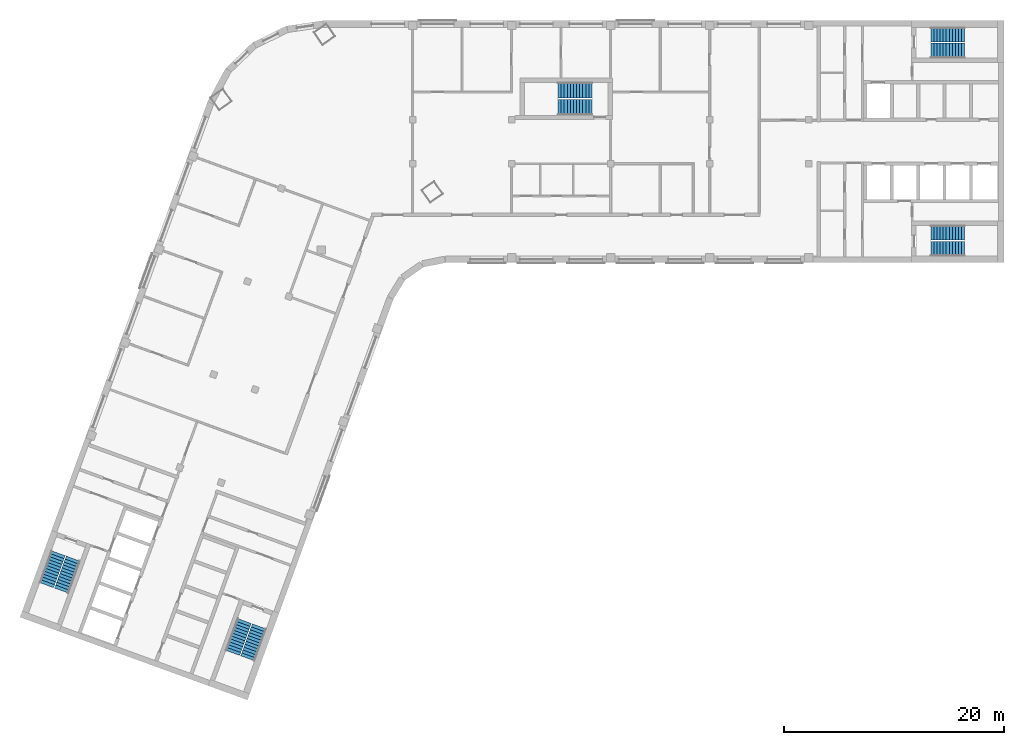
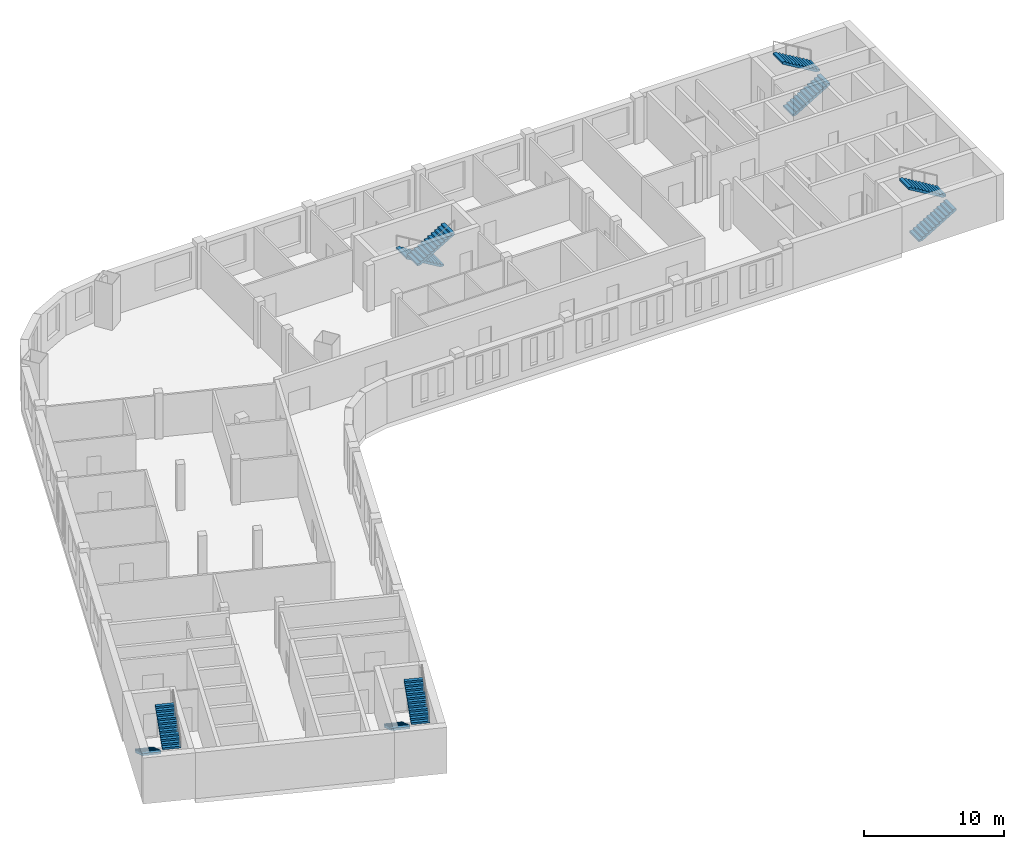
# One storey, part 7 of 8: 10 stair flights, 5 elements without a shape of their own.
"""IFC4 building model written with IfcOpenShell, lengths in metres."""

from ifc_helpers import new_model, si_unit, direction, frame, origin, place, context, subcontext, project, spatial, polyline, outline, extrude, material, type_object, element, aggregate, save


model = new_model("IFC4")

# Units and contexts
model_context = context("Model", 3, precision=1e-05, world=origin(), true_north=direction((0.0, 1.0)))
body_context = subcontext(model_context, "Body", "Model", "MODEL_VIEW")
ifc_project = project(units=[si_unit("LENGTHUNIT", "METRE"), si_unit("AREAUNIT", "SQUARE_METRE"), si_unit("VOLUMEUNIT", "CUBIC_METRE"), si_unit("PLANEANGLEUNIT", "RADIAN"), si_unit("MASSUNIT", "GRAM", prefix="KILO")], contexts=[model_context])

# Site, building, storey
site_placement = place(None, origin())
site = spatial("IfcSite", under=ifc_project, at=site_placement, CompositionType="ELEMENT")
building_placement = place(site_placement, origin())
building = spatial("IfcBuilding", under=site, at=building_placement, Name="Skarvind Civic Tower", CompositionType="ELEMENT")
storey_placement = place(building_placement, frame((0.0, 0.0, 224.0)))
storey = spatial("IfcBuildingStorey", under=building, at=storey_placement, Name="L53", CompositionType="ELEMENT", Elevation=224.0)

# Stair, stair flights
ifc_material = material(Name="Concrete C40/50", Category="concrete")
stair_type_1 = type_object("IfcStairType", Name="Exit stair 1450, half-turn, concrete", PredefinedType="HALF_TURN_STAIR", material=ifc_material)
stair_1_placement = place(storey_placement, origin())
stair_1 = element("IfcStair", 1, at=stair_1_placement, inside=storey, type_object=stair_type_1, Name="Exit stair CM", PredefinedType="HALF_TURN_STAIR")
stair_flight_type_1 = type_object("IfcStairFlightType", Name="Stair flight 1450, concrete", PredefinedType="STRAIGHT", material=ifc_material)
stair_flight_1_placement = place(storey_placement, frame((70.550048828125, 132.675048828125, 0.0), z_axis=(0.0, 0.0, 1.0), x_axis=(-1.0, 0.0, 0.0)))
stair_flight_1 = element("IfcStairFlight", 2, at=stair_flight_1_placement, type_object=stair_flight_type_1, Name="ST-CM flight 1", NumberOfRisers=12, NumberOfTreads=11, PredefinedType="STRAIGHT", RiserHeight=0.166666667, TreadLength=0.28, context=body_context, shape_type="SweptSolid", body=[
    extrude(outline(polyline([(0.0, 0.0), (0.0, 0.166748046875), (0.280029296875, 0.166748046875), (0.280029296875, 0.333251953125), (0.56005859375, 0.333251953125), (0.56005859375, 0.5), (0.840087890625, 0.5), (0.840087890625, 0.666748046875), (1.1201171875, 0.666748046875), (1.1201171875, 0.833251953125), (1.39990234375, 0.833251953125), (1.39990234375, 1.0), (1.679931640625, 1.0), (1.679931640625, 1.166748046875), (1.9599609375, 1.166748046875), (1.9599609375, 1.333251953125), (2.239990234375, 1.333251953125), (2.239990234375, 1.5), (2.52001953125, 1.5), (2.52001953125, 1.666748046875), (2.800048828125, 1.666748046875), (2.800048828125, 1.833251953125), (3.080078125, 1.833251953125), (3.080078125, 2.0), (3.080078125, 1.658935546875), (0.29296875, 0.0), (0.0, 0.0)])), frame((0.0, 0.72509765625, 0.0), z_axis=(0.0, -1.0, 0.0), x_axis=(1.0, 0.0, 0.0)), (0.0, 0.0, 1.0), 1.449951171875),
])
stair_flight_2_placement = place(storey_placement, frame((67.469970703125, 131.125, 2.0), z_axis=(0.0, 0.0, 1.0), x_axis=(1.0, 0.0, 0.0)))
stair_flight_2 = element("IfcStairFlight", 3, at=stair_flight_2_placement, type_object=stair_flight_type_1, Name="ST-CM flight 2", NumberOfRisers=12, NumberOfTreads=11, PredefinedType="STRAIGHT", RiserHeight=0.166666667, TreadLength=0.28, context=body_context, shape_type="SweptSolid", body=[
    extrude(outline(polyline([(0.0, 0.0), (0.0, 0.166748046875), (0.280029296875, 0.166748046875), (0.280029296875, 0.333251953125), (0.56005859375, 0.333251953125), (0.56005859375, 0.5), (0.840087890625, 0.5), (0.840087890625, 0.666748046875), (1.1201171875, 0.666748046875), (1.1201171875, 0.833251953125), (1.39990234375, 0.833251953125), (1.39990234375, 1.0), (1.679931640625, 1.0), (1.679931640625, 1.166748046875), (1.9599609375, 1.166748046875), (1.9599609375, 1.333251953125), (2.239990234375, 1.333251953125), (2.239990234375, 1.5), (2.52001953125, 1.5), (2.52001953125, 1.666748046875), (2.800048828125, 1.666748046875), (2.800048828125, 1.833251953125), (3.080078125, 1.833251953125), (3.080078125, 2.0), (3.080078125, 1.658935546875), (0.29296875, 0.0), (0.0, 0.0)])), frame((0.0, 0.72509765625, 0.0), z_axis=(0.0, -1.0, 0.0), x_axis=(1.0, 0.0, 0.0)), (0.0, 0.0, 1.0), 1.449951171875),
])
aggregate(stair_1, [stair_flight_1, stair_flight_2])

stair_type_2 = type_object("IfcStairType", Name="Exit stair, half-turn, concrete", PredefinedType="HALF_TURN_STAIR", material=ifc_material)
stair_2_placement = place(storey_placement, origin())
stair_2 = element("IfcStair", 4, at=stair_2_placement, inside=storey, type_object=stair_type_2, Name="Exit stair C1S", PredefinedType="HALF_TURN_STAIR")
stair_flight_type_2 = type_object("IfcStairFlightType", Name="Stair flight, concrete", PredefinedType="STRAIGHT", material=ifc_material)
stair_flight_3_placement = place(storey_placement, frame((101.35009765625, 136.27490234375, 0.0), z_axis=(0.0, 0.0, 1.0), x_axis=(1.0, 0.0, 0.0)))
stair_flight_3 = element("IfcStairFlight", 5, at=stair_flight_3_placement, type_object=stair_flight_type_2, Name="ST-C1S flight 1", NumberOfRisers=12, NumberOfTreads=11, PredefinedType="STRAIGHT", RiserHeight=0.166666667, TreadLength=0.28, context=body_context, shape_type="SweptSolid", body=[
    extrude(outline(polyline([(0.0, 0.0), (0.0, 0.166748046875), (0.280029296875, 0.166748046875), (0.280029296875, 0.333251953125), (0.56005859375, 0.333251953125), (0.56005859375, 0.5), (0.840087890625, 0.5), (0.840087890625, 0.666748046875), (1.1201171875, 0.666748046875), (1.1201171875, 0.833251953125), (1.39990234375, 0.833251953125), (1.39990234375, 1.0), (1.679931640625, 1.0), (1.679931640625, 1.166748046875), (1.9599609375, 1.166748046875), (1.9599609375, 1.333251953125), (2.239990234375, 1.333251953125), (2.239990234375, 1.5), (2.52001953125, 1.5), (2.52001953125, 1.666748046875), (2.800048828125, 1.666748046875), (2.800048828125, 1.833251953125), (3.080078125, 1.833251953125), (3.080078125, 2.0), (3.080078125, 1.658935546875), (0.29296875, 0.0), (0.0, 0.0)])), frame((0.0, 0.675048828125, 0.0), z_axis=(0.0, -1.0, 0.0), x_axis=(1.0, 0.0, 0.0)), (0.0, 0.0, 1.0), 1.35009765625),
])
stair_flight_4_placement = place(storey_placement, frame((104.429931640625, 137.72509765625, 2.0), z_axis=(0.0, 0.0, 1.0), x_axis=(-1.0, 0.0, 0.0)))
stair_flight_4 = element("IfcStairFlight", 6, at=stair_flight_4_placement, type_object=stair_flight_type_2, Name="ST-C1S flight 2", NumberOfRisers=12, NumberOfTreads=11, PredefinedType="STRAIGHT", RiserHeight=0.166666667, TreadLength=0.28, context=body_context, shape_type="SweptSolid", body=[
    extrude(outline(polyline([(0.0, 0.0), (0.0, 0.166748046875), (0.280029296875, 0.166748046875), (0.280029296875, 0.333251953125), (0.56005859375, 0.333251953125), (0.56005859375, 0.5), (0.840087890625, 0.5), (0.840087890625, 0.666748046875), (1.1201171875, 0.666748046875), (1.1201171875, 0.833251953125), (1.39990234375, 0.833251953125), (1.39990234375, 1.0), (1.679931640625, 1.0), (1.679931640625, 1.166748046875), (1.9599609375, 1.166748046875), (1.9599609375, 1.333251953125), (2.239990234375, 1.333251953125), (2.239990234375, 1.5), (2.52001953125, 1.5), (2.52001953125, 1.666748046875), (2.800048828125, 1.666748046875), (2.800048828125, 1.833251953125), (3.080078125, 1.833251953125), (3.080078125, 2.0), (3.080078125, 1.658935546875), (0.29296875, 0.0), (0.0, 0.0)])), frame((0.0, 0.675048828125, 0.0), z_axis=(0.0, -1.0, 0.0), x_axis=(1.0, 0.0, 0.0)), (0.0, 0.0, 1.0), 1.35009765625),
])
aggregate(stair_2, [stair_flight_3, stair_flight_4])

stair_3_placement = place(storey_placement, origin())
stair_3 = element("IfcStair", 7, at=stair_3_placement, inside=storey, type_object=stair_type_2, Name="Exit stair C1N", PredefinedType="HALF_TURN_STAIR")
stair_flight_5_placement = place(storey_placement, frame((101.35009765625, 118.27490234375, 0.0), z_axis=(0.0, 0.0, 1.0), x_axis=(1.0, 0.0, 0.0)))
stair_flight_5 = element("IfcStairFlight", 8, at=stair_flight_5_placement, type_object=stair_flight_type_2, Name="ST-C1N flight 1", NumberOfRisers=12, NumberOfTreads=11, PredefinedType="STRAIGHT", RiserHeight=0.166666667, TreadLength=0.28, context=body_context, shape_type="SweptSolid", body=[
    extrude(outline(polyline([(0.0, 0.0), (0.0, 0.166748046875), (0.280029296875, 0.166748046875), (0.280029296875, 0.333251953125), (0.56005859375, 0.333251953125), (0.56005859375, 0.5), (0.840087890625, 0.5), (0.840087890625, 0.666748046875), (1.1201171875, 0.666748046875), (1.1201171875, 0.833251953125), (1.39990234375, 0.833251953125), (1.39990234375, 1.0), (1.679931640625, 1.0), (1.679931640625, 1.166748046875), (1.9599609375, 1.166748046875), (1.9599609375, 1.333251953125), (2.239990234375, 1.333251953125), (2.239990234375, 1.5), (2.52001953125, 1.5), (2.52001953125, 1.666748046875), (2.800048828125, 1.666748046875), (2.800048828125, 1.833251953125), (3.080078125, 1.833251953125), (3.080078125, 2.0), (3.080078125, 1.658935546875), (0.29296875, 0.0), (0.0, 0.0)])), frame((0.0, 0.675048828125, 0.0), z_axis=(0.0, -1.0, 0.0), x_axis=(1.0, 0.0, 0.0)), (0.0, 0.0, 1.0), 1.35009765625),
])
stair_flight_6_placement = place(storey_placement, frame((104.429931640625, 119.72509765625, 2.0), z_axis=(0.0, 0.0, 1.0), x_axis=(-1.0, 0.0, 0.0)))
stair_flight_6 = element("IfcStairFlight", 9, at=stair_flight_6_placement, type_object=stair_flight_type_2, Name="ST-C1N flight 2", NumberOfRisers=12, NumberOfTreads=11, PredefinedType="STRAIGHT", RiserHeight=0.166666667, TreadLength=0.28, context=body_context, shape_type="SweptSolid", body=[
    extrude(outline(polyline([(0.0, 0.0), (0.0, 0.166748046875), (0.280029296875, 0.166748046875), (0.280029296875, 0.333251953125), (0.56005859375, 0.333251953125), (0.56005859375, 0.5), (0.840087890625, 0.5), (0.840087890625, 0.666748046875), (1.1201171875, 0.666748046875), (1.1201171875, 0.833251953125), (1.39990234375, 0.833251953125), (1.39990234375, 1.0), (1.679931640625, 1.0), (1.679931640625, 1.166748046875), (1.9599609375, 1.166748046875), (1.9599609375, 1.333251953125), (2.239990234375, 1.333251953125), (2.239990234375, 1.5), (2.52001953125, 1.5), (2.52001953125, 1.666748046875), (2.800048828125, 1.666748046875), (2.800048828125, 1.833251953125), (3.080078125, 1.833251953125), (3.080078125, 2.0), (3.080078125, 1.658935546875), (0.29296875, 0.0), (0.0, 0.0)])), frame((0.0, 0.675048828125, 0.0), z_axis=(0.0, -1.0, 0.0), x_axis=(1.0, 0.0, 0.0)), (0.0, 0.0, 1.0), 1.35009765625),
])
aggregate(stair_3, [stair_flight_5, stair_flight_6])

stair_4_placement = place(storey_placement, origin())
stair_4 = element("IfcStair", 10, at=stair_4_placement, inside=storey, type_object=stair_type_2, Name="Exit stair C2S", PredefinedType="HALF_TURN_STAIR")
stair_flight_7_placement = place(storey_placement, frame((38.949462890625, 84.43408203125, 0.0), z_axis=(0.0, 0.0, 1.0), x_axis=(-0.342020143326, -0.939692620786, 0.0)))
stair_flight_7 = element("IfcStairFlight", 11, at=stair_flight_7_placement, type_object=stair_flight_type_2, Name="ST-C2S flight 1", NumberOfRisers=12, NumberOfTreads=11, PredefinedType="STRAIGHT", RiserHeight=0.166666667, TreadLength=0.28, context=body_context, shape_type="SweptSolid", body=[
    extrude(outline(polyline([(0.0, 0.0), (0.0, 0.166748046875), (0.280029296875, 0.166748046875), (0.280029296875, 0.333251953125), (0.56005859375, 0.333251953125), (0.56005859375, 0.5), (0.840087890625, 0.5), (0.840087890625, 0.666748046875), (1.1201171875, 0.666748046875), (1.1201171875, 0.833251953125), (1.39990234375, 0.833251953125), (1.39990234375, 1.0), (1.679931640625, 1.0), (1.679931640625, 1.166748046875), (1.9599609375, 1.166748046875), (1.9599609375, 1.333251953125), (2.239990234375, 1.333251953125), (2.239990234375, 1.5), (2.52001953125, 1.5), (2.52001953125, 1.666748046875), (2.800048828125, 1.666748046875), (2.800048828125, 1.833251953125), (3.080078125, 1.833251953125), (3.080078125, 2.0), (3.080078125, 1.658935546875), (0.29296875, 0.0), (0.0, 0.0)])), frame((0.0, 0.675048828125, 0.0), z_axis=(0.0, -1.0, 0.0), x_axis=(1.0, 0.0, 0.0)), (0.0, 0.0, 1.0), 1.35009765625),
])
stair_flight_8_placement = place(storey_placement, frame((39.258544921875, 81.0439453125, 2.0), z_axis=(0.0, 0.0, 1.0), x_axis=(0.342020143326, 0.939692620786, 0.0)))
stair_flight_8 = element("IfcStairFlight", 12, at=stair_flight_8_placement, type_object=stair_flight_type_2, Name="ST-C2S flight 2", NumberOfRisers=12, NumberOfTreads=11, PredefinedType="STRAIGHT", RiserHeight=0.166666667, TreadLength=0.28, context=body_context, shape_type="SweptSolid", body=[
    extrude(outline(polyline([(0.0, 0.0), (0.0, 0.166748046875), (0.280029296875, 0.166748046875), (0.280029296875, 0.333251953125), (0.56005859375, 0.333251953125), (0.56005859375, 0.5), (0.840087890625, 0.5), (0.840087890625, 0.666748046875), (1.1201171875, 0.666748046875), (1.1201171875, 0.833251953125), (1.39990234375, 0.833251953125), (1.39990234375, 1.0), (1.679931640625, 1.0), (1.679931640625, 1.166748046875), (1.9599609375, 1.166748046875), (1.9599609375, 1.333251953125), (2.239990234375, 1.333251953125), (2.239990234375, 1.5), (2.52001953125, 1.5), (2.52001953125, 1.666748046875), (2.800048828125, 1.666748046875), (2.800048828125, 1.833251953125), (3.080078125, 1.833251953125), (3.080078125, 2.0), (3.080078125, 1.658935546875), (0.29296875, 0.0), (0.0, 0.0)])), frame((0.0, 0.675048828125, 0.0), z_axis=(0.0, -1.0, 0.0), x_axis=(1.0, 0.0, 0.0)), (0.0, 0.0, 1.0), 1.35009765625),
])
aggregate(stair_4, [stair_flight_7, stair_flight_8])

stair_5_placement = place(storey_placement, origin())
stair_5 = element("IfcStair", 13, at=stair_5_placement, inside=storey, type_object=stair_type_2, Name="Exit stair C2N", PredefinedType="HALF_TURN_STAIR")
stair_flight_9_placement = place(storey_placement, frame((22.034912109375, 90.590576171875, 0.0), z_axis=(0.0, 0.0, 1.0), x_axis=(-0.342020143326, -0.939692620786, 0.0)))
stair_flight_9 = element("IfcStairFlight", 14, at=stair_flight_9_placement, type_object=stair_flight_type_2, Name="ST-C2N flight 1", NumberOfRisers=12, NumberOfTreads=11, PredefinedType="STRAIGHT", RiserHeight=0.166666667, TreadLength=0.28, context=body_context, shape_type="SweptSolid", body=[
    extrude(outline(polyline([(0.0, 0.0), (0.0, 0.166748046875), (0.280029296875, 0.166748046875), (0.280029296875, 0.333251953125), (0.56005859375, 0.333251953125), (0.56005859375, 0.5), (0.840087890625, 0.5), (0.840087890625, 0.666748046875), (1.1201171875, 0.666748046875), (1.1201171875, 0.833251953125), (1.39990234375, 0.833251953125), (1.39990234375, 1.0), (1.679931640625, 1.0), (1.679931640625, 1.166748046875), (1.9599609375, 1.166748046875), (1.9599609375, 1.333251953125), (2.239990234375, 1.333251953125), (2.239990234375, 1.5), (2.52001953125, 1.5), (2.52001953125, 1.666748046875), (2.800048828125, 1.666748046875), (2.800048828125, 1.833251953125), (3.080078125, 1.833251953125), (3.080078125, 2.0), (3.080078125, 1.658935546875), (0.29296875, 0.0), (0.0, 0.0)])), frame((0.0, 0.675048828125, 0.0), z_axis=(0.0, -1.0, 0.0), x_axis=(1.0, 0.0, 0.0)), (0.0, 0.0, 1.0), 1.35009765625),
])
stair_flight_10_placement = place(storey_placement, frame((22.343994140625, 87.2001953125, 2.0), z_axis=(0.0, 0.0, 1.0), x_axis=(0.342020143326, 0.939692620786, 0.0)))
stair_flight_10 = element("IfcStairFlight", 15, at=stair_flight_10_placement, type_object=stair_flight_type_2, Name="ST-C2N flight 2", NumberOfRisers=12, NumberOfTreads=11, PredefinedType="STRAIGHT", RiserHeight=0.166666667, TreadLength=0.28, context=body_context, shape_type="SweptSolid", body=[
    extrude(outline(polyline([(0.0, 0.0), (0.0, 0.166748046875), (0.280029296875, 0.166748046875), (0.280029296875, 0.333251953125), (0.56005859375, 0.333251953125), (0.56005859375, 0.5), (0.840087890625, 0.5), (0.840087890625, 0.666748046875), (1.1201171875, 0.666748046875), (1.1201171875, 0.833251953125), (1.39990234375, 0.833251953125), (1.39990234375, 1.0), (1.679931640625, 1.0), (1.679931640625, 1.166748046875), (1.9599609375, 1.166748046875), (1.9599609375, 1.333251953125), (2.239990234375, 1.333251953125), (2.239990234375, 1.5), (2.52001953125, 1.5), (2.52001953125, 1.666748046875), (2.800048828125, 1.666748046875), (2.800048828125, 1.833251953125), (3.080078125, 1.833251953125), (3.080078125, 2.0), (3.080078125, 1.658935546875), (0.29296875, 0.0), (0.0, 0.0)])), frame((0.0, 0.675048828125, 0.0), z_axis=(0.0, -1.0, 0.0), x_axis=(1.0, 0.0, 0.0)), (0.0, 0.0, 1.0), 1.35009765625),
])
aggregate(stair_5, [stair_flight_9, stair_flight_10])

save(model, "model.ifc")
